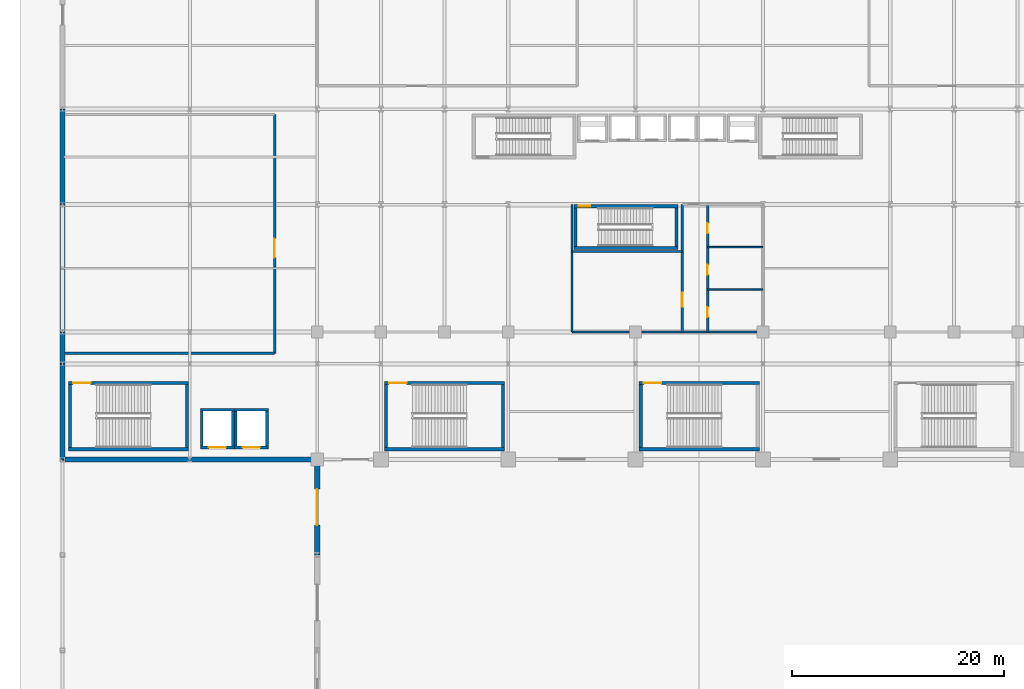
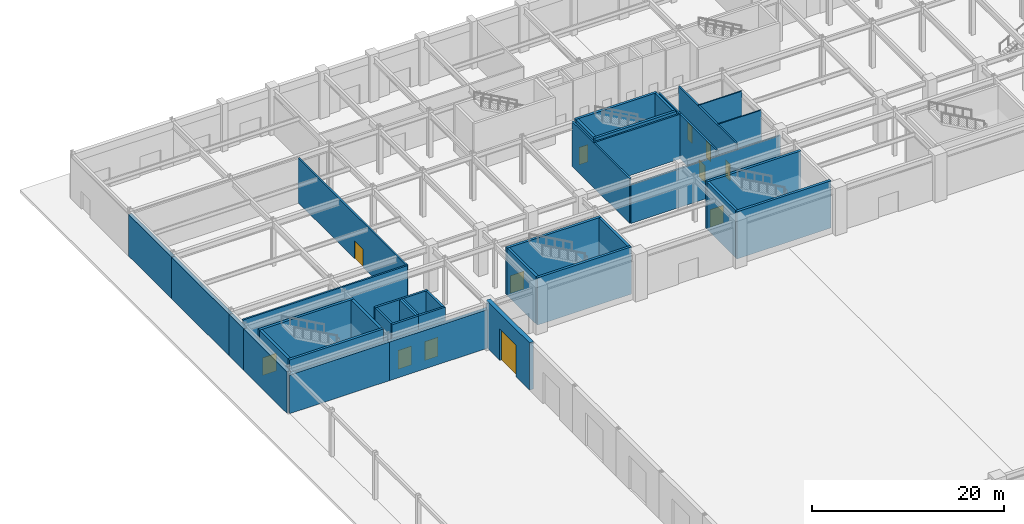
# One storey, part 24 of 44: 39 walls, 12 doors, 12 openings.
"""IFC4 building model written with IfcOpenShell, lengths in metres."""

from ifc_helpers import new_model, si_unit, direction, frame, frame_2d, origin, place, context, subcontext, project, spatial, rectangle, extrude, material, layer, layer_set, type_object, element, fill, save


model = new_model("IFC4")

# Units and contexts
model_context = context("Model", 3, precision=1e-05, world=origin(), true_north=direction((0.0, 1.0)))
body_context = subcontext(model_context, "Body", "Model", "MODEL_VIEW")
ifc_project = project(units=[si_unit("LENGTHUNIT", "METRE"), si_unit("AREAUNIT", "SQUARE_METRE"), si_unit("VOLUMEUNIT", "CUBIC_METRE"), si_unit("PLANEANGLEUNIT", "RADIAN"), si_unit("MASSUNIT", "GRAM", prefix="KILO")], contexts=[model_context])

# Site, building, storey
site_placement = place(None, origin())
site = spatial("IfcSite", under=ifc_project, at=site_placement, CompositionType="ELEMENT")
building_placement = place(site_placement, origin())
building = spatial("IfcBuilding", under=site, at=building_placement, Name="Kaldorvane Square Convention Centre", CompositionType="ELEMENT")
storey_placement = place(building_placement, origin())
storey = spatial("IfcBuildingStorey", under=building, at=storey_placement, Name="L00", CompositionType="ELEMENT", Elevation=0.0)

# Wall, opening, door
ifc_material_1 = material(Name="Concrete f'c = 55 MPa (Normalweight)", Category="concrete")
ifc_layer_1 = layer(ifc_material_1, 0.5)
ifc_layer_set_1 = layer_set([ifc_layer_1], Name="Concrete f'c = 55 MPa (Normalweight)")
wall_type_1 = type_object("IfcWallType", Name="WL-CORE-500", PredefinedType="SHEAR", material=ifc_layer_set_1)
wall_1_placement = place(storey_placement, frame((24.0, 72.0, 0.0), z_axis=(0.0, 0.0, 1.0), x_axis=(0.0, -1.0, 0.0)))
wall_1 = element("IfcWall", 1, at=wall_1_placement, inside=storey, type_object=wall_type_1, Name="Exhibition Hall Freight Dock Wall 6 (L00)", PredefinedType="SHEAR", context=body_context, shape_type="SweptSolid", body=[
    extrude(rectangle(XDim=9.0, YDim=0.5, at=frame_2d((4.5, 0.0))), origin(), (0.0, 0.0, 1.0), 6.0),
])
opening_1_placement = place(wall_1_placement, frame((2.8000030517578125, 0.0, 0.0)))
opening_1 = element("IfcOpeningElement", 2, at=opening_1_placement, cuts=wall_1, Name="Opening GD-H2", PredefinedType="OPENING", context=body_context, shape_type="SweptSolid", body=[
    extrude(rectangle(XDim=3.399993896484375, YDim=4.0, at=frame_2d((1.6999969482421875, 2.0))), frame((0.0, 0.2649993896484375, 0.0), z_axis=(0.0, -1.0, 0.0), x_axis=(1.0, 0.0, 0.0)), (0.0, 0.0, 1.0), 0.529998779296875),
])
ifc_material_2 = material(Name="Insulated Galvanized Steel Roller Shutter", Category="steel")
door_type_1 = type_object("IfcDoorType", Name="DR-HGV-3400X4000", OperationType="ROLLINGUP", PredefinedType="GATE", material=ifc_material_2)
door_1_placement = place(opening_1_placement, origin())
door_1 = element("IfcDoor", 3, at=door_1_placement, inside=storey, type_object=door_type_1, Name="HGV Loading Dock Roller Gate 06", OperationType="ROLLINGUP", OverallHeight=4.0, OverallWidth=3.399993896484375, PredefinedType="GATE", context=body_context, shape_type="SweptSolid", body=[
    extrude(rectangle(XDim=3.399993896484375, YDim=4.0, at=frame_2d((1.6999969482421875, 2.0))), frame((0.0, 0.024993896484375, 0.0), z_axis=(0.0, -1.0, 0.0), x_axis=(1.0, 0.0, 0.0)), (0.0, 0.0, 1.0), 0.0500030517578125),
])
fill(opening_1, door_1)

# Wall
ifc_material_3 = material(Name="Fire-Rated Gypsum Board on Acoustic Steel Studs", Category="steel")
ifc_layer_2 = layer(ifc_material_3, 0.1999969482421875)
ifc_layer_set_2 = layer_set([ifc_layer_2], Name="Fire-Rated Gypsum Board on Acoustic Steel Studs")
wall_type_2 = type_object("IfcWallType", Name="WL-CORR-200", PredefinedType="PARTITIONING", material=ifc_layer_set_2)
wall_2_placement = place(storey_placement, frame((48.0, 84.0, 0.0), z_axis=(0.0, 0.0, 1.0), x_axis=(1.0, 0.0, 0.0)))
element("IfcWall", 4, at=wall_2_placement, inside=storey, type_object=wall_type_2, Name="Service Block South Partition (L00)", PredefinedType="PARTITIONING", context=body_context, shape_type="SweptSolid", body=[
    extrude(rectangle(XDim=18.0, YDim=0.1999969482421875, at=frame_2d((9.0, 0.0))), origin(), (0.0, 0.0, 1.0), 4.9019927978515625),
])

# Wall, opening, door
wall_3_placement = place(storey_placement, frame((58.399993896484375, 84.0, 0.0), z_axis=(0.0, 0.0, 1.0), x_axis=(0.0, 1.0, 0.0)))
wall_3 = element("IfcWall", 5, at=wall_3_placement, inside=storey, type_object=wall_type_2, Name="Restroom Vestibule West Wall (L00)", PredefinedType="PARTITIONING", context=body_context, shape_type="SweptSolid", body=[
    extrude(rectangle(XDim=12.0, YDim=0.1999969482421875, at=frame_2d((6.0, 0.0))), origin(), (0.0, 0.0, 1.0), 5.67999267578125),
])
opening_2_placement = place(wall_3_placement, frame((2.399993896484375, 0.0, 0.0)))
opening_2 = element("IfcOpeningElement", 6, at=opening_2_placement, cuts=wall_3, Name="Opening ID-09", PredefinedType="OPENING", context=body_context, shape_type="SweptSolid", body=[
    extrude(rectangle(XDim=1.3000030517578125, YDim=2.1999969482421875, at=frame_2d((0.649993896484375, 1.100006103515625))), frame((0.0, 0.114990234375, 0.0), z_axis=(0.0, -1.0, 0.0), x_axis=(1.0, 0.0, 0.0)), (0.0, 0.0, 1.0), 0.2299957275390625),
])
ifc_material_4 = material(Name="Insulated Hollow Metal Steel", Category="steel")
door_type_2 = type_object("IfcDoorType", Name="DR-SVC-1300X2200", OperationType="DOUBLE_DOOR_SINGLE_SWING", PredefinedType="DOOR", material=ifc_material_4)
door_2_placement = place(opening_2_placement, origin())
door_2 = element("IfcDoor", 7, at=door_2_placement, inside=storey, type_object=door_type_2, Name="Janitor and Service Closet (L00) Door", OperationType="DOUBLE_DOOR_SINGLE_SWING", OverallHeight=2.1999969482421875, OverallWidth=1.3000030517578125, PredefinedType="DOOR", context=body_context, shape_type="SweptSolid", body=[
    extrude(rectangle(XDim=1.3000030517578125, YDim=2.1999969482421875, at=frame_2d((0.649993896484375, 1.100006103515625))), frame((0.0, 0.024993896484375, 0.0), z_axis=(0.0, -1.0, 0.0), x_axis=(1.0, 0.0, 0.0)), (0.0, 0.0, 1.0), 0.0500030517578125),
])
fill(opening_2, door_2)

# Wall, openings, doors
wall_4_placement = place(storey_placement, frame((60.80000305175781, 84.0, 0.0), z_axis=(0.0, 0.0, 1.0), x_axis=(0.0, 1.0, 0.0)))
wall_4 = element("IfcWall", 8, at=wall_4_placement, inside=storey, type_object=wall_type_2, Name="Restroom Vestibule East Wall (L00)", PredefinedType="PARTITIONING", context=body_context, shape_type="SweptSolid", body=[
    extrude(rectangle(XDim=12.0, YDim=0.1999969482421875, at=frame_2d((6.0, 0.0))), origin(), (0.0, 0.0, 1.0), 5.67999267578125),
])
opening_3_placement = place(wall_4_placement, frame((1.399993896484375, 0.0, 0.0)))
opening_3 = element("IfcOpeningElement", 9, at=opening_3_placement, cuts=wall_4, Name="Opening ID-13", PredefinedType="OPENING", context=body_context, shape_type="SweptSolid", body=[
    extrude(rectangle(XDim=0.9499969482421875, YDim=2.149993896484375, at=frame_2d((0.475006103515625, 1.0749969482421875))), frame((0.0, 0.114990234375, 0.0), z_axis=(0.0, -1.0, 0.0), x_axis=(1.0, 0.0, 0.0)), (0.0, 0.0, 1.0), 0.2299957275390625),
])
opening_4_placement = place(wall_4_placement, frame((5.399993896484375, 0.0, 0.0)))
opening_4 = element("IfcOpeningElement", 10, at=opening_4_placement, cuts=wall_4, Name="Opening ID-13", PredefinedType="OPENING", context=body_context, shape_type="SweptSolid", body=[
    extrude(rectangle(XDim=0.9499969482421875, YDim=2.149993896484375, at=frame_2d((0.475006103515625, 1.0749969482421875))), frame((0.0, 0.114990234375, 0.0), z_axis=(0.0, -1.0, 0.0), x_axis=(1.0, 0.0, 0.0)), (0.0, 0.0, 1.0), 0.2299957275390625),
])
opening_5_placement = place(wall_4_placement, frame((9.300003051757812, 0.0, 0.0)))
opening_5 = element("IfcOpeningElement", 11, at=opening_5_placement, cuts=wall_4, Name="Opening ID-13", PredefinedType="OPENING", context=body_context, shape_type="SweptSolid", body=[
    extrude(rectangle(XDim=0.9499969482421875, YDim=2.149993896484375, at=frame_2d((0.475006103515625, 1.0749969482421875))), frame((0.0, 0.114990234375, 0.0), z_axis=(0.0, -1.0, 0.0), x_axis=(1.0, 0.0, 0.0)), (0.0, 0.0, 1.0), 0.2299957275390625),
])
ifc_material_5 = material(Name="Architectural Solid-Core White Oak")
door_type_3 = type_object("IfcDoorType", Name="DR-WC-0950X2150", OperationType="SINGLE_SWING_LEFT", PredefinedType="DOOR", material=ifc_material_5)
door_3_placement = place(opening_3_placement, origin())
door_3 = element("IfcDoor", 12, at=door_3_placement, inside=storey, type_object=door_type_3, Name="Accessible Restroom Door (L00)", OperationType="SINGLE_SWING_LEFT", OverallHeight=2.149993896484375, OverallWidth=0.9499969482421875, PredefinedType="DOOR", context=body_context, shape_type="SweptSolid", body=[
    extrude(rectangle(XDim=0.9499969482421875, YDim=2.149993896484375, at=frame_2d((0.475006103515625, 1.0749969482421875))), frame((0.0, 0.024993896484375, 0.0), z_axis=(0.0, -1.0, 0.0), x_axis=(1.0, 0.0, 0.0)), (0.0, 0.0, 1.0), 0.0500030517578125),
])
fill(opening_3, door_3)
door_4_placement = place(opening_4_placement, origin())
door_4 = element("IfcDoor", 13, at=door_4_placement, inside=storey, type_object=door_type_3, Name="Men's Restroom Door (L00)", OperationType="SINGLE_SWING_LEFT", OverallHeight=2.149993896484375, OverallWidth=0.9499969482421875, PredefinedType="DOOR", context=body_context, shape_type="SweptSolid", body=[
    extrude(rectangle(XDim=0.9499969482421875, YDim=2.149993896484375, at=frame_2d((0.475006103515625, 1.0749969482421875))), frame((0.0, 0.024993896484375, 0.0), z_axis=(0.0, -1.0, 0.0), x_axis=(1.0, 0.0, 0.0)), (0.0, 0.0, 1.0), 0.0500030517578125),
])
fill(opening_4, door_4)
door_5_placement = place(opening_5_placement, origin())
door_5 = element("IfcDoor", 14, at=door_5_placement, inside=storey, type_object=door_type_3, Name="Women's Restroom Door (L00)", OperationType="SINGLE_SWING_LEFT", OverallHeight=2.149993896484375, OverallWidth=0.9499969482421875, PredefinedType="DOOR", context=body_context, shape_type="SweptSolid", body=[
    extrude(rectangle(XDim=0.9499969482421875, YDim=2.149993896484375, at=frame_2d((0.475006103515625, 1.0749969482421875))), frame((0.0, 0.024993896484375, 0.0), z_axis=(0.0, -1.0, 0.0), x_axis=(1.0, 0.0, 0.0)), (0.0, 0.0, 1.0), 0.0500030517578125),
])
fill(opening_5, door_5)

# Walls
wall_5_placement = place(storey_placement, frame((48.0, 91.60000610351562, 0.0), z_axis=(0.0, 0.0, 1.0), x_axis=(1.0, 0.0, 0.0)))
element("IfcWall", 15, at=wall_5_placement, inside=storey, type_object=wall_type_2, Name="Housekeeping North Wall (L00)", PredefinedType="PARTITIONING", context=body_context, shape_type="SweptSolid", body=[
    extrude(rectangle(XDim=10.399993896484375, YDim=0.1999969482421875, at=frame_2d((5.1999969482421875, 0.0))), origin(), (0.0, 0.0, 1.0), 5.67999267578125),
])
wall_6_placement = place(storey_placement, frame((48.0, 84.0, 0.0), z_axis=(0.0, 0.0, 1.0), x_axis=(0.0, 1.0, 0.0)))
element("IfcWall", 16, at=wall_6_placement, inside=storey, type_object=wall_type_2, Name="Service Block West Wall (L00)", PredefinedType="PARTITIONING", context=body_context, shape_type="SweptSolid", body=[
    extrude(rectangle(XDim=12.0, YDim=0.1999969482421875, at=frame_2d((6.0, 0.0))), origin(), (0.0, 0.0, 1.0), 5.67999267578125),
])
wall_7_placement = place(storey_placement, frame((0.225006103515625, 82.0, 0.0), z_axis=(0.0, 0.0, 1.0), x_axis=(1.0, 0.0, 0.0)))
element("IfcWall", 17, at=wall_7_placement, inside=storey, type_object=wall_type_2, Name="Convention Registration and Show Management Suite S Wall", PredefinedType="PARTITIONING", context=body_context, shape_type="SweptSolid", body=[
    extrude(rectangle(XDim=19.774993896484375, YDim=0.1999969482421875, at=frame_2d((9.887496948242188, 0.0))), origin(), (0.0, 0.0, 1.0), 5.67999267578125),
])

# Wall, opening, door
wall_8_placement = place(storey_placement, frame((20.0, 82.0, 0.0), z_axis=(0.0, 0.0, 1.0), x_axis=(0.0, 1.0, 0.0)))
wall_8 = element("IfcWall", 18, at=wall_8_placement, inside=storey, type_object=wall_type_2, Name="Convention Registration and Show Management Suite E Wall", PredefinedType="PARTITIONING", context=body_context, shape_type="SweptSolid", body=[
    extrude(rectangle(XDim=22.5, YDim=0.1999969482421875, at=frame_2d((11.25, 0.0))), origin(), (0.0, 0.0, 1.0), 5.67999267578125),
])
opening_6_placement = place(wall_8_placement, frame((9.0, 0.0, 0.0)))
opening_6 = element("IfcOpeningElement", 19, at=opening_6_placement, cuts=wall_8, Name="Opening ID-06", PredefinedType="OPENING", context=body_context, shape_type="SweptSolid", body=[
    extrude(rectangle(XDim=1.8000030517578125, YDim=2.3000030517578125, at=frame_2d((0.899993896484375, 1.149993896484375))), frame((0.0, 0.114990234375, 0.0), z_axis=(0.0, -1.0, 0.0), x_axis=(1.0, 0.0, 0.0)), (0.0, 0.0, 1.0), 0.2299957275390625),
])
door_type_4 = type_object("IfcDoorType", Name="DR-MEET-1800X2300", OperationType="DOUBLE_DOOR_SINGLE_SWING", PredefinedType="DOOR", material=ifc_material_5)
door_6_placement = place(opening_6_placement, origin())
door_6 = element("IfcDoor", 20, at=door_6_placement, inside=storey, type_object=door_type_4, Name="Convention Registration and Show Management Suite Door 1", OperationType="DOUBLE_DOOR_SINGLE_SWING", OverallHeight=2.3000030517578125, OverallWidth=1.8000030517578125, PredefinedType="DOOR", context=body_context, shape_type="SweptSolid", body=[
    extrude(rectangle(XDim=1.8000030517578125, YDim=2.3000030517578125, at=frame_2d((0.899993896484375, 1.149993896484375))), frame((0.0, 0.024993896484375, 0.0), z_axis=(0.0, -1.0, 0.0), x_axis=(1.0, 0.0, 0.0)), (0.0, 0.0, 1.0), 0.0500030517578125),
])
fill(opening_6, door_6)

# Walls
ifc_material_6 = material(Name="Concrete f'c = 42 MPa (Normalweight)", Category="concrete")
ifc_layer_3 = layer(ifc_material_6, 0.4499969482421875)
ifc_layer_set_3 = layer_set([ifc_layer_3], Name="Concrete f'c = 42 MPa (Normalweight)")
wall_type_3 = type_object("IfcWallType", Name="WL-EXT-450", PredefinedType="STANDARD", material=ifc_layer_set_3)
wall_9_placement = place(storey_placement, frame((0.0, 81.0, 0.0), z_axis=(0.0, 0.0, 1.0), x_axis=(0.0, -1.0, 0.0)))
element("IfcWall", 21, at=wall_9_placement, inside=storey, type_object=wall_type_3, Name="West Service Spine Wall (L00)", PredefinedType="STANDARD", context=body_context, shape_type="SweptSolid", body=[
    extrude(rectangle(XDim=9.0, YDim=0.4499969482421875, at=frame_2d((4.5, 0.0))), origin(), (0.0, 0.0, 1.0), 5.2689971923828125),
])
wall_10_placement = place(storey_placement, frame((0.0, 84.0, 0.0), z_axis=(0.0, 0.0, 1.0), x_axis=(0.0, -1.0, 0.0)))
element("IfcWall", 22, at=wall_10_placement, inside=storey, type_object=wall_type_3, Name="West Service Spine Wall (L00)", PredefinedType="STANDARD", context=body_context, shape_type="SweptSolid", body=[
    extrude(rectangle(XDim=3.0, YDim=0.4499969482421875, at=frame_2d((1.5, 0.0))), origin(), (0.0, 0.0, 1.0), 5.2689971923828125),
])
wall_11_placement = place(storey_placement, frame((0.0, 96.0, 0.0), z_axis=(0.0, 0.0, 1.0), x_axis=(0.0, -1.0, 0.0)))
element("IfcWall", 23, at=wall_11_placement, inside=storey, type_object=wall_type_3, Name="West Service Spine Wall (L00)", PredefinedType="STANDARD", context=body_context, shape_type="SweptSolid", body=[
    extrude(rectangle(XDim=12.0, YDim=0.4499969482421875, at=frame_2d((6.0, 0.0))), origin(), (0.0, 0.0, 1.0), 5.2689971923828125),
])
wall_12_placement = place(storey_placement, frame((0.0, 105.0, 0.0), z_axis=(0.0, 0.0, 1.0), x_axis=(0.0, -1.0, 0.0)))
element("IfcWall", 24, at=wall_12_placement, inside=storey, type_object=wall_type_3, Name="West Service Spine Wall (L00)", PredefinedType="STANDARD", context=body_context, shape_type="SweptSolid", body=[
    extrude(rectangle(XDim=9.0, YDim=0.4499969482421875, at=frame_2d((4.5, 0.0))), origin(), (0.0, 0.0, 1.0), 5.2689971923828125),
])
for number, where, z_axis, x_axis, name in (
    (25, (12.0, 72.0, 0.0), (0.0, 0.0, 1.0), (-1.0, 0.0, 0.0), "Service Yard North Wall (L00)"),
    (26, (24.0, 72.0, 0.0), (0.0, 0.0, 1.0), (-1.0, 0.0, 0.0), "Service Yard North Wall (L00)"),
):
    element("IfcWall", number, at=place(storey_placement, frame(where, z_axis=z_axis, x_axis=x_axis)), inside=storey, type_object=wall_type_3, Name=name, PredefinedType="STANDARD", context=body_context, shape_type="SweptSolid", body=[
        extrude(rectangle(XDim=12.0, YDim=0.4499969482421875, at=frame_2d((6.0, 0.0))), origin(), (0.0, 0.0, 1.0), 4.9019927978515625),
    ])
ifc_layer_4 = layer(ifc_material_3, 0.149993896484375)
ifc_layer_set_4 = layer_set([ifc_layer_4], Name="Fire-Rated Gypsum Board on Acoustic Steel Studs")
wall_type_4 = type_object("IfcWallType", Name="WL-PART-150", PredefinedType="PARTITIONING", material=ifc_layer_set_4)
for number, where, z_axis, x_axis, name in (
    (27, (60.80000305175781, 88.0, 0.0), (0.0, 0.0, 1.0), (1.0, 0.0, 0.0), "Restroom Partition 1 (L00)"),
    (28, (60.80000305175781, 92.0, 0.0), (0.0, 0.0, 1.0), (1.0, 0.0, 0.0), "Restroom Partition 2 (L00)"),
):
    element("IfcWall", number, at=place(storey_placement, frame(where, z_axis=z_axis, x_axis=x_axis)), inside=storey, type_object=wall_type_4, Name=name, PredefinedType="PARTITIONING", context=body_context, shape_type="SweptSolid", body=[
        extrude(rectangle(XDim=5.1999969482421875, YDim=0.149993896484375, at=frame_2d((2.600006103515625, 0.0))), origin(), (0.0, 0.0, 1.0), 5.67999267578125),
    ])
ifc_layer_5 = layer(ifc_material_1, 0.3000030517578125)
ifc_layer_set_5 = layer_set([ifc_layer_5], Name="Concrete f'c = 55 MPa (Normalweight)")
wall_type_5 = type_object("IfcWallType", Name="WL-SHAFT-300", PredefinedType="SHEAR", material=ifc_layer_set_5)
wall_13_placement = place(storey_placement, frame((48.19999694824219, 91.91000366210938, 0.0), z_axis=(0.0, 0.0, 1.0), x_axis=(1.0, 0.0, 0.0)))
element("IfcWall", 29, at=wall_13_placement, inside=storey, type_object=wall_type_5, Name="Core Enclosure Wall stair:ST-T3-S (L00)", PredefinedType="SHEAR", context=body_context, shape_type="SweptSolid", body=[
    extrude(rectangle(XDim=9.800003051757812, YDim=0.3000030517578125, at=frame_2d((4.899993896484375, 0.0))), origin(), (0.0, 0.0, 1.0), 6.0),
])

# Wall, opening, door
wall_14_placement = place(storey_placement, frame((58.0, 95.85000610351562, 0.0), z_axis=(0.0, 0.0, 1.0), x_axis=(-1.0, 0.0, 0.0)))
wall_14 = element("IfcWall", 30, at=wall_14_placement, inside=storey, type_object=wall_type_5, Name="Core Enclosure Wall stair:ST-T3-N (L00)", PredefinedType="SHEAR", context=body_context, shape_type="SweptSolid", body=[
    extrude(rectangle(XDim=9.800003051757812, YDim=0.3000030517578125, at=frame_2d((4.899993896484375, 0.0))), origin(), (0.0, 0.0, 1.0), 6.0),
])
opening_7_placement = place(wall_14_placement, frame((8.25, 0.0, 0.0)))
opening_7 = element("IfcOpeningElement", 31, at=opening_7_placement, cuts=wall_14, Name="Opening FD90-S1", PredefinedType="OPENING", context=body_context, shape_type="SweptSolid", body=[
    extrude(rectangle(XDim=1.100006103515625, YDim=2.1999969482421875, at=frame_2d((0.5500030517578125, 1.100006103515625))), frame((0.0, 0.165008544921875, 0.0), z_axis=(0.0, -1.0, 0.0), x_axis=(1.0, 0.0, 0.0)), (0.0, 0.0, 1.0), 0.3300018310546875),
])
ifc_material_7 = material(Name="Fire-Rated Hollow Metal Steel", Category="steel")
door_type_5 = type_object("IfcDoorType", Name="DR-STAIR-1100", OperationType="SINGLE_SWING_RIGHT", PredefinedType="DOOR", material=ifc_material_7)
door_7_placement = place(opening_7_placement, origin())
door_7 = element("IfcDoor", 32, at=door_7_placement, inside=storey, type_object=door_type_5, Name="Tower Exit Stair T3 Fire Door (L00)", OperationType="SINGLE_SWING_RIGHT", OverallHeight=2.1999969482421875, OverallWidth=1.100006103515625, PredefinedType="DOOR", context=body_context, shape_type="SweptSolid", body=[
    extrude(rectangle(XDim=1.100006103515625, YDim=2.1999969482421875, at=frame_2d((0.5500030517578125, 1.100006103515625))), frame((0.0, 0.024993896484375, 0.0), z_axis=(0.0, -1.0, 0.0), x_axis=(1.0, 0.0, 0.0)), (0.0, 0.0, 1.0), 0.0500030517578125),
])
fill(opening_7, door_7)

# Walls
for number, where, z_axis, x_axis, name in (
    (33, (48.350006103515625, 95.69999694824219, 0.0), (0.0, 0.0, 1.0), (0.0, -1.0, 0.0), "Core Enclosure Wall stair:ST-T3-W (L00)"),
    (34, (57.850006103515625, 92.05999755859375, 0.0), (0.0, 0.0, 1.0), (0.0, 1.0, 0.0), "Core Enclosure Wall stair:ST-T3-E (L00)"),
):
    element("IfcWall", number, at=place(storey_placement, frame(where, z_axis=z_axis, x_axis=x_axis)), inside=storey, type_object=wall_type_5, Name=name, PredefinedType="SHEAR", context=body_context, shape_type="SweptSolid", body=[
        extrude(rectangle(XDim=3.6399993896484375, YDim=0.3000030517578125, at=frame_2d((1.82000732421875, 0.0))), origin(), (0.0, 0.0, 1.0), 6.0),
    ])
wall_15_placement = place(storey_placement, frame((0.55999755859375, 72.94999694824219, 0.0), z_axis=(0.0, 0.0, 1.0), x_axis=(1.0, 0.0, 0.0)))
element("IfcWall", 35, at=wall_15_placement, inside=storey, type_object=wall_type_5, Name="Core Enclosure Wall stair:ST-C12-S (L00)", PredefinedType="SHEAR", context=body_context, shape_type="SweptSolid", body=[
    extrude(rectangle(XDim=11.32000732421875, YDim=0.3000030517578125, at=frame_2d((5.660003662109375, 0.0))), origin(), (0.0, 0.0, 1.0), 6.0),
])

# Wall, opening, door
wall_16_placement = place(storey_placement, frame((11.8800048828125, 79.21000671386719, 0.0), z_axis=(0.0, 0.0, 1.0), x_axis=(-1.0, 0.0, 0.0)))
wall_16 = element("IfcWall", 36, at=wall_16_placement, inside=storey, type_object=wall_type_5, Name="Core Enclosure Wall stair:ST-C12-N (L00)", PredefinedType="SHEAR", context=body_context, shape_type="SweptSolid", body=[
    extrude(rectangle(XDim=11.32000732421875, YDim=0.3000030517578125, at=frame_2d((5.660003662109375, 0.0))), origin(), (0.0, 0.0, 1.0), 6.0),
])
opening_8_placement = place(wall_16_placement, frame((9.220001220703125, 0.0, 0.0)))
opening_8 = element("IfcOpeningElement", 37, at=opening_8_placement, cuts=wall_16, Name="Opening FD90-S2", PredefinedType="OPENING", context=body_context, shape_type="SweptSolid", body=[
    extrude(rectangle(XDim=1.649993896484375, YDim=2.25, at=frame_2d((0.8249969482421875, 1.125))), frame((0.0, 0.165008544921875, 0.0), z_axis=(0.0, -1.0, 0.0), x_axis=(1.0, 0.0, 0.0)), (0.0, 0.0, 1.0), 0.3300018310546875),
])
door_type_6 = type_object("IfcDoorType", Name="DR-STAIR-1650", OperationType="DOUBLE_DOOR_SINGLE_SWING", PredefinedType="DOOR", material=ifc_material_7)
door_8_placement = place(opening_8_placement, origin())
door_8 = element("IfcDoor", 38, at=door_8_placement, inside=storey, type_object=door_type_6, Name="Convention Exit Stair C12 Fire Door (L00)", OperationType="DOUBLE_DOOR_SINGLE_SWING", OverallHeight=2.25, OverallWidth=1.649993896484375, PredefinedType="DOOR", context=body_context, shape_type="SweptSolid", body=[
    extrude(rectangle(XDim=1.649993896484375, YDim=2.25, at=frame_2d((0.8249969482421875, 1.125))), frame((0.0, 0.024993896484375, 0.0), z_axis=(0.0, -1.0, 0.0), x_axis=(1.0, 0.0, 0.0)), (0.0, 0.0, 1.0), 0.0500030517578125),
])
fill(opening_8, door_8)

# Walls
for number, where, z_axis, x_axis, name in (
    (39, (0.7100067138671875, 79.05999755859375, 0.0), (0.0, 0.0, 1.0), (0.0, -1.0, 0.0), "Core Enclosure Wall stair:ST-C12-W (L00)"),
    (40, (11.729995727539062, 73.10000610351562, 0.0), (0.0, 0.0, 1.0), (0.0, 1.0, 0.0), "Core Enclosure Wall stair:ST-C12-E (L00)"),
):
    element("IfcWall", number, at=place(storey_placement, frame(where, z_axis=z_axis, x_axis=x_axis)), inside=storey, type_object=wall_type_5, Name=name, PredefinedType="SHEAR", context=body_context, shape_type="SweptSolid", body=[
        extrude(rectangle(XDim=5.959991455078125, YDim=0.3000030517578125, at=frame_2d((2.9799957275390625, 0.0))), origin(), (0.0, 0.0, 1.0), 6.0),
    ])
wall_17_placement = place(storey_placement, frame((30.339996337890625, 72.94999694824219, 0.0), z_axis=(0.0, 0.0, 1.0), x_axis=(1.0, 0.0, 0.0)))
element("IfcWall", 41, at=wall_17_placement, inside=storey, type_object=wall_type_5, Name="Core Enclosure Wall stair:ST-C13-S (L00)", PredefinedType="SHEAR", context=body_context, shape_type="SweptSolid", body=[
    extrude(rectangle(XDim=11.32000732421875, YDim=0.3000030517578125, at=frame_2d((5.660003662109375, 0.0))), origin(), (0.0, 0.0, 1.0), 6.0),
])

# Wall, opening, door
wall_18_placement = place(storey_placement, frame((41.660003662109375, 79.21000671386719, 0.0), z_axis=(0.0, 0.0, 1.0), x_axis=(-1.0, 0.0, 0.0)))
wall_18 = element("IfcWall", 42, at=wall_18_placement, inside=storey, type_object=wall_type_5, Name="Core Enclosure Wall stair:ST-C13-N (L00)", PredefinedType="SHEAR", context=body_context, shape_type="SweptSolid", body=[
    extrude(rectangle(XDim=11.32000732421875, YDim=0.3000030517578125, at=frame_2d((5.660003662109375, 0.0))), origin(), (0.0, 0.0, 1.0), 6.0),
])
opening_9_placement = place(wall_18_placement, frame((9.220001220703125, 0.0, 0.0)))
opening_9 = element("IfcOpeningElement", 43, at=opening_9_placement, cuts=wall_18, Name="Opening FD90-S2", PredefinedType="OPENING", context=body_context, shape_type="SweptSolid", body=[
    extrude(rectangle(XDim=1.649993896484375, YDim=2.25, at=frame_2d((0.8249969482421875, 1.125))), frame((0.0, 0.165008544921875, 0.0), z_axis=(0.0, -1.0, 0.0), x_axis=(1.0, 0.0, 0.0)), (0.0, 0.0, 1.0), 0.3300018310546875),
])
door_9_placement = place(opening_9_placement, origin())
door_9 = element("IfcDoor", 44, at=door_9_placement, inside=storey, type_object=door_type_6, Name="Convention Exit Stair C13 Fire Door (L00)", OperationType="DOUBLE_DOOR_SINGLE_SWING", OverallHeight=2.25, OverallWidth=1.649993896484375, PredefinedType="DOOR", context=body_context, shape_type="SweptSolid", body=[
    extrude(rectangle(XDim=1.649993896484375, YDim=2.25, at=frame_2d((0.8249969482421875, 1.125))), frame((0.0, 0.024993896484375, 0.0), z_axis=(0.0, -1.0, 0.0), x_axis=(1.0, 0.0, 0.0)), (0.0, 0.0, 1.0), 0.0500030517578125),
])
fill(opening_9, door_9)

# Walls
for number, where, z_axis, x_axis, name in (
    (45, (30.490005493164062, 79.05999755859375, 0.0), (0.0, 0.0, 1.0), (0.0, -1.0, 0.0), "Core Enclosure Wall stair:ST-C13-W (L00)"),
    (46, (41.50999450683594, 73.10000610351562, 0.0), (0.0, 0.0, 1.0), (0.0, 1.0, 0.0), "Core Enclosure Wall stair:ST-C13-E (L00)"),
):
    element("IfcWall", number, at=place(storey_placement, frame(where, z_axis=z_axis, x_axis=x_axis)), inside=storey, type_object=wall_type_5, Name=name, PredefinedType="SHEAR", context=body_context, shape_type="SweptSolid", body=[
        extrude(rectangle(XDim=5.959991455078125, YDim=0.3000030517578125, at=frame_2d((2.9799957275390625, 0.0))), origin(), (0.0, 0.0, 1.0), 6.0),
    ])
wall_19_placement = place(storey_placement, frame((54.339996337890625, 72.94999694824219, 0.0), z_axis=(0.0, 0.0, 1.0), x_axis=(1.0, 0.0, 0.0)))
element("IfcWall", 47, at=wall_19_placement, inside=storey, type_object=wall_type_5, Name="Core Enclosure Wall stair:ST-C14-S (L00)", PredefinedType="SHEAR", context=body_context, shape_type="SweptSolid", body=[
    extrude(rectangle(XDim=11.32000732421875, YDim=0.3000030517578125, at=frame_2d((5.660003662109375, 0.0))), origin(), (0.0, 0.0, 1.0), 6.0),
])

# Wall, opening, door
wall_20_placement = place(storey_placement, frame((65.66000366210938, 79.21000671386719, 0.0), z_axis=(0.0, 0.0, 1.0), x_axis=(-1.0, 0.0, 0.0)))
wall_20 = element("IfcWall", 48, at=wall_20_placement, inside=storey, type_object=wall_type_5, Name="Core Enclosure Wall stair:ST-C14-N (L00)", PredefinedType="SHEAR", context=body_context, shape_type="SweptSolid", body=[
    extrude(rectangle(XDim=11.32000732421875, YDim=0.3000030517578125, at=frame_2d((5.660003662109375, 0.0))), origin(), (0.0, 0.0, 1.0), 6.0),
])
opening_10_placement = place(wall_20_placement, frame((9.220001220703125, 0.0, 0.0)))
opening_10 = element("IfcOpeningElement", 49, at=opening_10_placement, cuts=wall_20, Name="Opening FD90-S2", PredefinedType="OPENING", context=body_context, shape_type="SweptSolid", body=[
    extrude(rectangle(XDim=1.649993896484375, YDim=2.25, at=frame_2d((0.8249969482421875, 1.125))), frame((0.0, 0.165008544921875, 0.0), z_axis=(0.0, -1.0, 0.0), x_axis=(1.0, 0.0, 0.0)), (0.0, 0.0, 1.0), 0.3300018310546875),
])
door_10_placement = place(opening_10_placement, origin())
door_10 = element("IfcDoor", 50, at=door_10_placement, inside=storey, type_object=door_type_6, Name="Convention Exit Stair C14 Fire Door (L00)", OperationType="DOUBLE_DOOR_SINGLE_SWING", OverallHeight=2.25, OverallWidth=1.649993896484375, PredefinedType="DOOR", context=body_context, shape_type="SweptSolid", body=[
    extrude(rectangle(XDim=1.649993896484375, YDim=2.25, at=frame_2d((0.8249969482421875, 1.125))), frame((0.0, 0.024993896484375, 0.0), z_axis=(0.0, -1.0, 0.0), x_axis=(1.0, 0.0, 0.0)), (0.0, 0.0, 1.0), 0.0500030517578125),
])
fill(opening_10, door_10)

# Wall
wall_21_placement = place(storey_placement, frame((54.49000549316406, 79.05999755859375, 0.0), z_axis=(0.0, 0.0, 1.0), x_axis=(0.0, -1.0, 0.0)))
element("IfcWall", 51, at=wall_21_placement, inside=storey, type_object=wall_type_5, Name="Core Enclosure Wall stair:ST-C14-W (L00)", PredefinedType="SHEAR", context=body_context, shape_type="SweptSolid", body=[
    extrude(rectangle(XDim=5.959991455078125, YDim=0.3000030517578125, at=frame_2d((2.9799957275390625, 0.0))), origin(), (0.0, 0.0, 1.0), 6.0),
])

# Wall, opening, door
wall_22_placement = place(storey_placement, frame((13.0, 73.125, 0.0), z_axis=(0.0, 0.0, 1.0), x_axis=(1.0, 0.0, 0.0)))
wall_22 = element("IfcWall", 52, at=wall_22_placement, inside=storey, type_object=wall_type_5, Name="Core Enclosure Wall lift:EL-G1-S (L00)", PredefinedType="SHEAR", context=body_context, shape_type="SweptSolid", body=[
    extrude(rectangle(XDim=3.1999969482421875, YDim=0.25, at=frame_2d((1.600006103515625, 0.0))), origin(), (0.0, 0.0, 1.0), 6.0),
])
opening_11_placement = place(wall_22_placement, frame((0.8000030517578125, 0.0, 0.0)))
opening_11 = element("IfcOpeningElement", 53, at=opening_11_placement, cuts=wall_22, Name="Opening LD-03", PredefinedType="OPENING", context=body_context, shape_type="SweptSolid", body=[
    extrude(rectangle(XDim=1.600006103515625, YDim=2.399993896484375, at=frame_2d((0.8000030517578125, 1.1999969482421875))), frame((0.0, 0.1399993896484375, 0.0), z_axis=(0.0, -1.0, 0.0), x_axis=(1.0, 0.0, 0.0)), (0.0, 0.0, 1.0), 0.279998779296875),
])
ifc_material_8 = material(Name="Stainless Steel Elevator Door Assembly", Category="steel")
door_type_7 = type_object("IfcDoorType", Name="DR-LIFT-1600", OperationType="DOUBLE_DOOR_SLIDING", PredefinedType="DOOR", material=ifc_material_8)
door_11_placement = place(opening_11_placement, origin())
door_11 = element("IfcDoor", 54, at=door_11_placement, inside=storey, type_object=door_type_7, Name="Elevator Landing Door EL-G1 (L00)", OperationType="DOUBLE_DOOR_SLIDING", OverallHeight=2.399993896484375, OverallWidth=1.600006103515625, PredefinedType="DOOR", context=body_context, shape_type="SweptSolid", body=[
    extrude(rectangle(XDim=1.600006103515625, YDim=2.399993896484375, at=frame_2d((0.8000030517578125, 1.1999969482421875))), frame((0.0, 0.024993896484375, 0.0), z_axis=(0.0, -1.0, 0.0), x_axis=(1.0, 0.0, 0.0)), (0.0, 0.0, 1.0), 0.0500030517578125),
])
fill(opening_11, door_11)

# Walls
wall_23_placement = place(storey_placement, frame((16.199996948242188, 76.67500305175781, 0.0), z_axis=(0.0, 0.0, 1.0), x_axis=(-1.0, 0.0, 0.0)))
element("IfcWall", 55, at=wall_23_placement, inside=storey, type_object=wall_type_5, Name="Core Enclosure Wall lift:EL-G1-N (L00)", PredefinedType="SHEAR", context=body_context, shape_type="SweptSolid", body=[
    extrude(rectangle(XDim=3.1999969482421875, YDim=0.25, at=frame_2d((1.600006103515625, 0.0))), origin(), (0.0, 0.0, 1.0), 6.0),
])
for number, where, z_axis, x_axis, name in (
    (56, (13.125, 76.55000305175781, 0.0), (0.0, 0.0, 1.0), (0.0, -1.0, 0.0), "Core Enclosure Wall lift:EL-G1-W (L00)"),
    (57, (16.074996948242188, 73.25, 0.0), (0.0, 0.0, 1.0), (0.0, 1.0, 0.0), "Core Enclosure Wall lift:EL-G1-E (L00)"),
):
    element("IfcWall", number, at=place(storey_placement, frame(where, z_axis=z_axis, x_axis=x_axis)), inside=storey, type_object=wall_type_5, Name=name, PredefinedType="SHEAR", context=body_context, shape_type="SweptSolid", body=[
        extrude(rectangle(XDim=3.3000030517578125, YDim=0.25, at=frame_2d((1.649993896484375, 0.0))), origin(), (0.0, 0.0, 1.0), 6.0),
    ])

# Wall, opening, door
wall_24_placement = place(storey_placement, frame((16.199996948242188, 73.125, 0.0), z_axis=(0.0, 0.0, 1.0), x_axis=(1.0, 0.0, 0.0)))
wall_24 = element("IfcWall", 58, at=wall_24_placement, inside=storey, type_object=wall_type_5, Name="Core Enclosure Wall lift:EL-G2-S (L00)", PredefinedType="SHEAR", context=body_context, shape_type="SweptSolid", body=[
    extrude(rectangle(XDim=3.1999969482421875, YDim=0.25, at=frame_2d((1.600006103515625, 0.0))), origin(), (0.0, 0.0, 1.0), 6.0),
])
opening_12_placement = place(wall_24_placement, frame((0.8000030517578125, 0.0, 0.0)))
opening_12 = element("IfcOpeningElement", 59, at=opening_12_placement, cuts=wall_24, Name="Opening LD-03", PredefinedType="OPENING", context=body_context, shape_type="SweptSolid", body=[
    extrude(rectangle(XDim=1.600006103515625, YDim=2.399993896484375, at=frame_2d((0.8000030517578125, 1.1999969482421875))), frame((0.0, 0.1399993896484375, 0.0), z_axis=(0.0, -1.0, 0.0), x_axis=(1.0, 0.0, 0.0)), (0.0, 0.0, 1.0), 0.279998779296875),
])
door_12_placement = place(opening_12_placement, origin())
door_12 = element("IfcDoor", 60, at=door_12_placement, inside=storey, type_object=door_type_7, Name="Elevator Landing Door EL-G2 (L00)", OperationType="DOUBLE_DOOR_SLIDING", OverallHeight=2.399993896484375, OverallWidth=1.600006103515625, PredefinedType="DOOR", context=body_context, shape_type="SweptSolid", body=[
    extrude(rectangle(XDim=1.600006103515625, YDim=2.399993896484375, at=frame_2d((0.8000030517578125, 1.1999969482421875))), frame((0.0, 0.024993896484375, 0.0), z_axis=(0.0, -1.0, 0.0), x_axis=(1.0, 0.0, 0.0)), (0.0, 0.0, 1.0), 0.0500030517578125),
])
fill(opening_12, door_12)

# Walls
wall_25_placement = place(storey_placement, frame((19.399993896484375, 76.67500305175781, 0.0), z_axis=(0.0, 0.0, 1.0), x_axis=(-1.0, 0.0, 0.0)))
element("IfcWall", 61, at=wall_25_placement, inside=storey, type_object=wall_type_5, Name="Core Enclosure Wall lift:EL-G2-N (L00)", PredefinedType="SHEAR", context=body_context, shape_type="SweptSolid", body=[
    extrude(rectangle(XDim=3.1999969482421875, YDim=0.25, at=frame_2d((1.600006103515625, 0.0))), origin(), (0.0, 0.0, 1.0), 6.0),
])
for number, where, z_axis, x_axis, name in (
    (62, (16.324996948242188, 76.55000305175781, 0.0), (0.0, 0.0, 1.0), (0.0, -1.0, 0.0), "Core Enclosure Wall lift:EL-G2-W (L00)"),
    (63, (19.274993896484375, 73.25, 0.0), (0.0, 0.0, 1.0), (0.0, 1.0, 0.0), "Core Enclosure Wall lift:EL-G2-E (L00)"),
):
    element("IfcWall", number, at=place(storey_placement, frame(where, z_axis=z_axis, x_axis=x_axis)), inside=storey, type_object=wall_type_5, Name=name, PredefinedType="SHEAR", context=body_context, shape_type="SweptSolid", body=[
        extrude(rectangle(XDim=3.3000030517578125, YDim=0.25, at=frame_2d((1.649993896484375, 0.0))), origin(), (0.0, 0.0, 1.0), 6.0),
    ])

save(model, "model.ifc")
